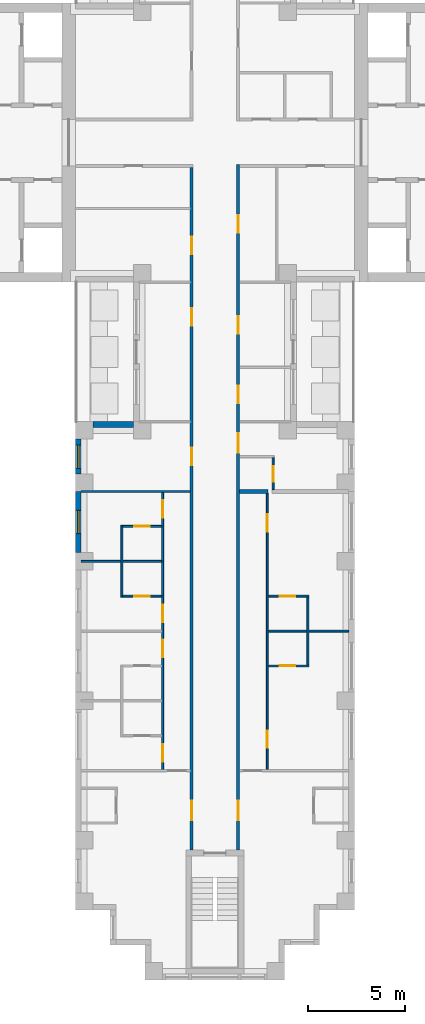
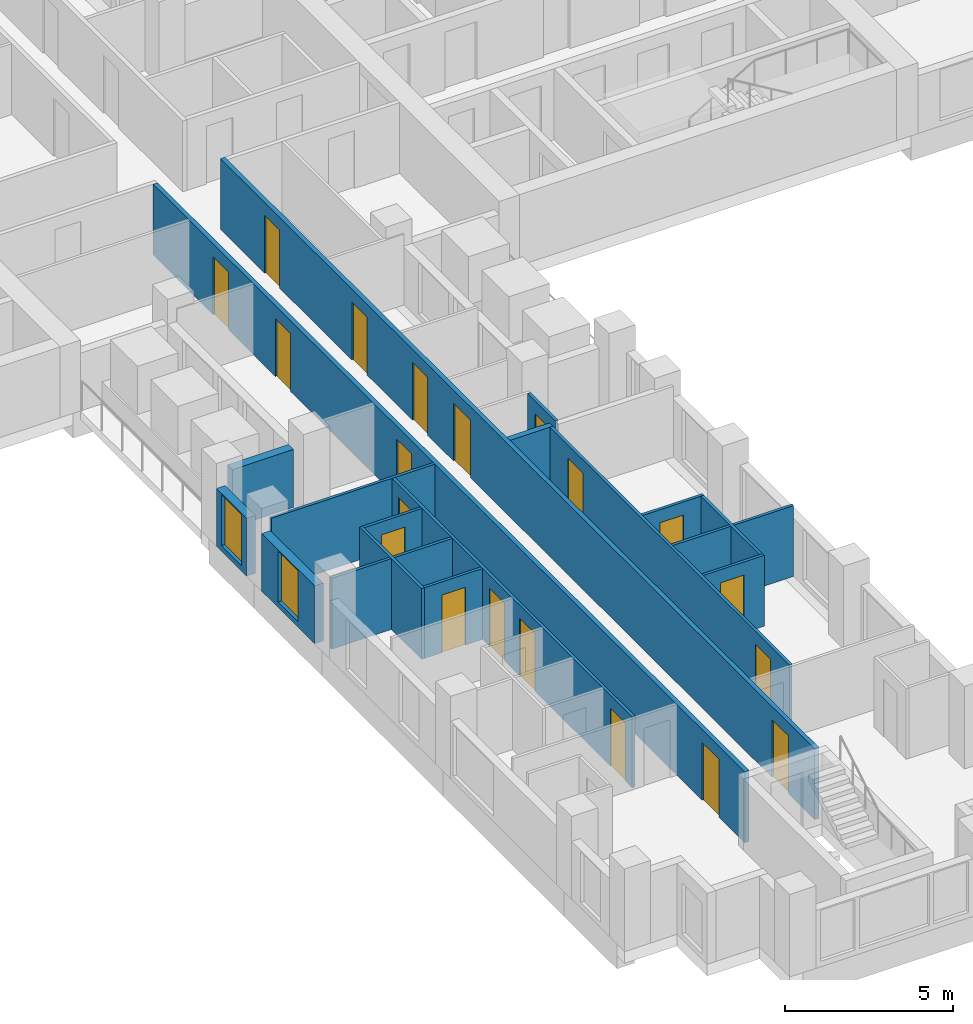
# One storey, part 4 of 13: 20 doors, 18 walls, 2 windows, 22 openings.
"""IFC4 building model written with IfcOpenShell, lengths in metres."""

import ifcopenshell
import ifcopenshell.guid

model = None  # the IFC model being written
_history = None  # IfcOwnerHistory: only IFC2X3 demands one
_inside = {}  # id of a spatial element -> (the spatial element, [elements in it])
_under = {}  # id of a project, library or spatial element -> (it, [spatial elements below it])
_declared = {}  # id of a project -> (the project, [libraries it declares])
_typed = {}  # id of a type object -> (the type object, [elements of that type])
_made_of = {}  # id of a material, layer set ... -> (it, [elements and type objects made of it])


def new_model(schema):
    """Start an empty IFC model of exactly this schema.

    Asked for "IFC4X3", IfcOpenShell would pick the latest addendum, in which some entities
    have other attributes; the version numbers below select the first issue.
    IFC2X3 requires an IfcOwnerHistory on every rooted entity: one is made here for all.
    """
    global model, _history
    if schema == "IFC4X3":
        model = ifcopenshell.file(schema_version=(4, 3, 0, 0))
    else:
        model = ifcopenshell.file(schema=schema)
    _inside.clear()
    _under.clear()
    _declared.clear()
    _typed.clear()
    _made_of.clear()
    _history = None
    if model.schema == "IFC2X3":
        org = make("IfcOrganization", Name="unknown")
        user = make(
            "IfcPersonAndOrganization",
            ThePerson=make("IfcPerson", FamilyName="unknown"),
            TheOrganization=org,
        )
        app = make(
            "IfcApplication",
            ApplicationDeveloper=org,
            Version="unknown",
            ApplicationFullName="unknown",
            ApplicationIdentifier="unknown",
        )
        _history = make(
            "IfcOwnerHistory",
            OwningUser=user,
            OwningApplication=app,
            ChangeAction="ADDED",
            CreationDate=0,
        )
    return model


def make(cls, **values):
    """One entity of the class cls with the attributes given. An attribute that is None is left unset."""
    return model.create_entity(
        cls, **{name: value for name, value in values.items() if value is not None}
    )


def rooted(cls, **values):
    """An entity with a GlobalId (a new one), such as an element, a storey or a relation."""
    return make(cls, GlobalId=ifcopenshell.guid.new(), OwnerHistory=_history, **values)


def si_unit(unit_type, name, prefix=None):
    """IfcSIUnit, for example si_unit("LENGTHUNIT", "METRE", prefix="MILLI")."""
    return make("IfcSIUnit", UnitType=unit_type, Prefix=prefix, Name=name)


def assignment(units):
    """IfcUnitAssignment: the units of a project."""
    return None if units is None else make("IfcUnitAssignment", Units=units)


def point(xyz):
    """IfcCartesianPoint."""
    return None if xyz is None else make("IfcCartesianPoint", Coordinates=xyz)


def direction(xyz):
    """IfcDirection."""
    return None if xyz is None else make("IfcDirection", DirectionRatios=xyz)


def frame(location, z_axis=None, x_axis=None):
    """IfcAxis2Placement3D, a coordinate frame: its origin and axes. An axis left out is left unset."""
    return make(
        "IfcAxis2Placement3D",
        Location=point(location),
        Axis=direction(z_axis),
        RefDirection=direction(x_axis),
    )


def frame_2d(location, x_axis=None):
    """IfcAxis2Placement2D, a coordinate frame in the plane: its origin and x axis."""
    return make(
        "IfcAxis2Placement2D", Location=point(location), RefDirection=direction(x_axis)
    )


def origin():
    """The frame at (0, 0, 0) with its axes left unset."""
    return frame((0.0, 0.0, 0.0))


def place(relative_to, where):
    """IfcLocalPlacement: puts the frame where relative to a parent placement (None: the world)."""
    return make(
        "IfcLocalPlacement", PlacementRelTo=relative_to, RelativePlacement=where
    )


def context(
    kind, dimensions, precision=None, world=None, true_north=None, identifier=None
):
    """IfcGeometricRepresentationContext, for example the 3D "Model" context."""
    return make(
        "IfcGeometricRepresentationContext",
        ContextIdentifier=identifier,
        ContextType=kind,
        CoordinateSpaceDimension=dimensions,
        Precision=precision,
        WorldCoordinateSystem=world,
        TrueNorth=true_north,
    )


def subcontext(parent, identifier, kind, view, scale=None):
    """IfcGeometricRepresentationSubContext, for example "Body" below "Model"."""
    return make(
        "IfcGeometricRepresentationSubContext",
        ContextIdentifier=identifier,
        ContextType=kind,
        ParentContext=parent,
        TargetScale=scale,
        TargetView=view,
    )


def project(units=None, contexts=None):
    """IfcProject with its units and contexts."""
    return rooted(
        "IfcProject",
        Name="project",
        RepresentationContexts=contexts,
        UnitsInContext=assignment(units),
    )


def spatial(cls, under=None, at=None, **own):
    """A site, building, storey or space (cls), placed at a placement, below another one or the project."""
    s = rooted(cls, ObjectPlacement=at, **own)
    if under is not None:
        _under.setdefault(under.id(), (under, []))[1].append(s)
    return s


def profile(cls, at=None, kind="AREA", **sizes):
    """A parametric profile (cls). Its sizes go by their IFC names, for example OverallWidth=200.0."""
    return make(cls, ProfileType=kind, Position=at, **sizes)


def rectangle(**sizes):
    """IfcRectangleProfileDef."""
    return profile("IfcRectangleProfileDef", **sizes)


def extrude(swept, where, along, depth):
    """IfcExtrudedAreaSolid: the profile swept, set in the frame where, extruded along a direction by depth."""
    return make(
        "IfcExtrudedAreaSolid",
        SweptArea=swept,
        Position=where,
        ExtrudedDirection=direction(along),
        Depth=depth,
    )


def shape(context_of_items, identifier, shape_type, items):
    """IfcShapeRepresentation: the items that make up one representation, for example the "Body"."""
    return make(
        "IfcShapeRepresentation",
        ContextOfItems=context_of_items,
        RepresentationIdentifier=identifier,
        RepresentationType=shape_type,
        Items=items,
    )


def material(Name=None, Category=None):
    """IfcMaterial."""
    return make("IfcMaterial", Name=Name, Category=Category)


def layer(
    of_material, thickness, ventilated=None, Name=None, Category=None, Priority=None
):
    """IfcMaterialLayer: one layer of a wall or slab, of a material (None: an air gap)."""
    return make(
        "IfcMaterialLayer",
        Material=of_material,
        LayerThickness=thickness,
        IsVentilated=ventilated,
        Name=Name,
        Category=Category,
        Priority=Priority,
    )


def layer_set(layers, Name=None):
    """IfcMaterialLayerSet."""
    return make("IfcMaterialLayerSet", MaterialLayers=layers, LayerSetName=Name)


def made_of(thing, what):
    """Note that an element or type object is made of a material, layer set ...; save() writes the relation."""
    if what is not None:
        _made_of.setdefault(what.id(), (what, []))[1].append(thing)
    return thing


def type_object(cls, material=None, **own):
    """A type object (cls), such as IfcWallType, which elements share."""
    return made_of(rooted(cls, **own), material)


def element(
    cls,
    number,
    at=None,
    inside=None,
    cuts=None,
    type_object=None,
    material=None,
    context=None,
    identifier="Body",
    shape_type=None,
    held_by="IfcProductDefinitionShape",
    body=None,
    shapes=None,
    **own,
):
    """One element of the class cls, such as IfcWall. Its Tag is "e" and its number.

    at: its placement. inside: the storey or other place that contains it. cuts: it is an
    opening in that element (IfcRelVoidsElement). A single representation is given by context,
    identifier, shape_type and body (its items); several are given by shapes. held_by: the class
    of the entity that holds the representations. save() writes the other relations.
    """
    e = rooted(cls, Tag="e%d" % number, ObjectPlacement=at, **own)
    if body is not None:
        shapes = [shape(context, identifier, shape_type, body)]
    if shapes is not None:
        e.Representation = make(held_by, Representations=shapes)
    if inside is not None:
        _inside.setdefault(inside.id(), (inside, []))[1].append(e)
    if cuts is not None:
        rooted(
            "IfcRelVoidsElement", RelatingBuildingElement=cuts, RelatedOpeningElement=e
        )
    if type_object is not None:
        _typed.setdefault(type_object.id(), (type_object, []))[1].append(e)
    return made_of(e, material)


def fill(opening, filler):
    """IfcRelFillsElement: the door or window that sits in an opening."""
    return rooted(
        "IfcRelFillsElement",
        RelatingOpeningElement=opening,
        RelatedBuildingElement=filler,
    )


def aggregate(whole, parts):
    """IfcRelAggregates: a whole, such as a stair, and the parts it consists of."""
    return rooted("IfcRelAggregates", RelatingObject=whole, RelatedObjects=parts)


def save(model, path):
    """Write the relations noted so far, then the file.

    IfcRelAggregates (storeys below a building ...), IfcRelContainedInSpatialStructure (elements
    in a storey), IfcRelDefinesByType, IfcRelAssociatesMaterial and IfcRelDeclares: one each for
    every whole, place, type object, material and project.
    """
    for whole, parts in _under.values():
        aggregate(whole, parts)
    for where, things in _inside.values():
        rooted(
            "IfcRelContainedInSpatialStructure",
            RelatedElements=things,
            RelatingStructure=where,
        )
    for kind, things in _typed.values():
        rooted("IfcRelDefinesByType", RelatedObjects=things, RelatingType=kind)
    for what, things in _made_of.values():
        rooted("IfcRelAssociatesMaterial", RelatedObjects=things, RelatingMaterial=what)
    for by, libraries in _declared.values():
        rooted("IfcRelDeclares", RelatingContext=by, RelatedDefinitions=libraries)
    model.write(path)


model = new_model("IFC4")

# Units and contexts
model_context = context("Model", 3, precision=1e-05, world=origin(), true_north=direction((0.0, 1.0)))
body_context = subcontext(model_context, "Body", "Model", "MODEL_VIEW")
ifc_project = project(units=[si_unit("LENGTHUNIT", "METRE"), si_unit("AREAUNIT", "SQUARE_METRE"), si_unit("VOLUMEUNIT", "CUBIC_METRE"), si_unit("PLANEANGLEUNIT", "RADIAN"), si_unit("MASSUNIT", "GRAM", prefix="KILO")], contexts=[model_context])

# Site, building, storey
site_placement = place(None, origin())
site = spatial("IfcSite", under=ifc_project, at=site_placement, CompositionType="ELEMENT")
building_placement = place(site_placement, origin())
building = spatial("IfcBuilding", under=site, at=building_placement, Name="Fustian Cross Tower", CompositionType="ELEMENT")
storey_placement = place(building_placement, frame((0.0, 0.0, 87.89990234375)))
storey = spatial("IfcBuildingStorey", under=building, at=storey_placement, Name="L27", CompositionType="ELEMENT", Elevation=87.89990234375)

# Wall, openings, doors
ifc_material_1 = material(Name="Plasterboard on steel stud", Category="steel")
ifc_layer_1 = layer(ifc_material_1, 0.14990234375)
ifc_layer_set_1 = layer_set([ifc_layer_1], Name="Plasterboard on steel stud")
wall_type_1 = type_object("IfcWallType", Name="COMPARTMENT WALL 150 EI 60", PredefinedType="PARTITIONING", material=ifc_layer_set_1)
wall_1_placement = place(storey_placement, frame((-1.199951171875, -36.5, 0.0), z_axis=(0.0, 0.0, 1.0), x_axis=(0.0, 1.0, 0.0)))
wall_1 = element("IfcWall", 1, at=wall_1_placement, inside=storey, type_object=wall_type_1, Name="Partition 38", PredefinedType="PARTITIONING", context=body_context, shape_type="SweptSolid", body=[
    extrude(rectangle(XDim=35.22509765625, YDim=0.14990234375, at=frame_2d((17.612548828125, 0.0))), origin(), (0.0, 0.0, 1.0), 2.5751953125),
])
opening_1_placement = place(wall_1_placement, frame((30.75, 0.0, 0.0)))
opening_1 = element("IfcOpeningElement", 2, at=opening_1_placement, cuts=wall_1, Name="Opening D13008", PredefinedType="OPENING", context=body_context, shape_type="SweptSolid", body=[
    extrude(rectangle(XDim=0.89990234375, YDim=2.10009765625, at=frame_2d((0.449951171875, 1.050048828125))), frame((0.0, 0.0849609375, 0.0), z_axis=(0.0, -1.0, 0.0), x_axis=(1.0, 0.0, 0.0)), (0.0, 0.0, 1.0), 0.169921875),
])
opening_2_placement = place(wall_1_placement, frame((27.050048828125, 0.0, 0.0)))
opening_2 = element("IfcOpeningElement", 3, at=opening_2_placement, cuts=wall_1, Name="Opening D13043", PredefinedType="OPENING", context=body_context, shape_type="SweptSolid", body=[
    extrude(rectangle(XDim=0.89990234375, YDim=2.10009765625, at=frame_2d((0.449951171875, 1.050048828125))), frame((0.0, 0.0849609375, 0.0), z_axis=(0.0, -1.0, 0.0), x_axis=(1.0, 0.0, 0.0)), (0.0, 0.0, 1.0), 0.169921875),
])
opening_3_placement = place(wall_1_placement, frame((19.85009765625, 0.0, 0.0)))
opening_3 = element("IfcOpeningElement", 4, at=opening_3_placement, cuts=wall_1, Name="Opening D13044", PredefinedType="OPENING", context=body_context, shape_type="SweptSolid", body=[
    extrude(rectangle(XDim=0.89990234375, YDim=2.10009765625, at=frame_2d((0.449951171875, 1.050048828125))), frame((0.0, 0.0849609375, 0.0), z_axis=(0.0, -1.0, 0.0), x_axis=(1.0, 0.0, 0.0)), (0.0, 0.0, 1.0), 0.169921875),
])
opening_4_placement = place(wall_1_placement, frame((1.550048828125, 0.0, 0.0)))
opening_4 = element("IfcOpeningElement", 5, at=opening_4_placement, cuts=wall_1, Name="Opening D13046", PredefinedType="OPENING", context=body_context, shape_type="SweptSolid", body=[
    extrude(rectangle(XDim=1.0, YDim=2.10009765625, at=frame_2d((0.5, 1.050048828125))), frame((0.0, 0.0849609375, 0.0), z_axis=(0.0, -1.0, 0.0), x_axis=(1.0, 0.0, 0.0)), (0.0, 0.0, 1.0), 0.169921875),
])
ifc_material_2 = material(Name="Timber fire door set", Category="wood")
door_type_1 = type_object("IfcDoorType", Name="FIRE SWING DOOR 1000 FD30S", OperationType="SINGLE_SWING_LEFT", PredefinedType="DOOR", material=ifc_material_2)
door_1_placement = place(opening_4_placement, origin())
door_1 = element("IfcDoor", 6, at=door_1_placement, inside=storey, type_object=door_type_1, Name="Door D13046", OperationType="SINGLE_SWING_RIGHT", OverallHeight=2.10009765625, OverallWidth=1.0, PredefinedType="DOOR", context=body_context, shape_type="SweptSolid", body=[
    extrude(rectangle(XDim=1.0, YDim=2.10009765625, at=frame_2d((0.5, 1.050048828125))), frame((0.0, 0.02490234375, 0.0), z_axis=(0.0, -1.0, 0.0), x_axis=(1.0, 0.0, 0.0)), (0.0, 0.0, 1.0), 0.050048828125),
])
fill(opening_4, door_1)
ifc_material_3 = material(Name="Timber fire door set", Category="wood")
door_type_2 = type_object("IfcDoorType", Name="FIRE SWING DOOR 900 FD30S", OperationType="SINGLE_SWING_LEFT", PredefinedType="DOOR", material=ifc_material_3)
door_2_placement = place(opening_1_placement, origin())
door_2 = element("IfcDoor", 7, at=door_2_placement, inside=storey, type_object=door_type_2, Name="Door D13008", OperationType="SINGLE_SWING_RIGHT", OverallHeight=2.10009765625, OverallWidth=0.89990234375, PredefinedType="DOOR", context=body_context, shape_type="SweptSolid", body=[
    extrude(rectangle(XDim=0.89990234375, YDim=2.10009765625, at=frame_2d((0.449951171875, 1.050048828125))), frame((0.0, 0.02490234375, 0.0), z_axis=(0.0, -1.0, 0.0), x_axis=(1.0, 0.0, 0.0)), (0.0, 0.0, 1.0), 0.050048828125),
])
fill(opening_1, door_2)
door_3_placement = place(opening_2_placement, origin())
door_3 = element("IfcDoor", 8, at=door_3_placement, inside=storey, type_object=door_type_2, Name="Door D13043", OperationType="SINGLE_SWING_RIGHT", OverallHeight=2.10009765625, OverallWidth=0.89990234375, PredefinedType="DOOR", context=body_context, shape_type="SweptSolid", body=[
    extrude(rectangle(XDim=0.89990234375, YDim=2.10009765625, at=frame_2d((0.449951171875, 1.050048828125))), frame((0.0, 0.02490234375, 0.0), z_axis=(0.0, -1.0, 0.0), x_axis=(1.0, 0.0, 0.0)), (0.0, 0.0, 1.0), 0.050048828125),
])
fill(opening_2, door_3)
door_4_placement = place(opening_3_placement, origin())
door_4 = element("IfcDoor", 9, at=door_4_placement, inside=storey, type_object=door_type_2, Name="Door D13044", OperationType="SINGLE_SWING_LEFT", OverallHeight=2.10009765625, OverallWidth=0.89990234375, PredefinedType="DOOR", context=body_context, shape_type="SweptSolid", body=[
    extrude(rectangle(XDim=0.89990234375, YDim=2.10009765625, at=frame_2d((0.449951171875, 1.050048828125))), frame((0.0, 0.02490234375, 0.0), z_axis=(0.0, -1.0, 0.0), x_axis=(1.0, 0.0, 0.0)), (0.0, 0.0, 1.0), 0.050048828125),
])
fill(opening_3, door_4)

wall_2_placement = place(storey_placement, frame((1.199951171875, -36.5, 0.0), z_axis=(0.0, 0.0, 1.0), x_axis=(0.0, 1.0, 0.0)))
wall_2 = element("IfcWall", 10, at=wall_2_placement, inside=storey, type_object=wall_type_1, Name="Partition 41", PredefinedType="PARTITIONING", context=body_context, shape_type="SweptSolid", body=[
    extrude(rectangle(XDim=35.375, YDim=0.14990234375, at=frame_2d((17.6875, 0.0))), origin(), (0.0, 0.0, 1.0), 2.5751953125),
])
opening_5_placement = place(wall_2_placement, frame((31.85009765625, 0.0, 0.0)))
opening_5 = element("IfcOpeningElement", 11, at=opening_5_placement, cuts=wall_2, Name="Opening D13005", PredefinedType="OPENING", context=body_context, shape_type="SweptSolid", body=[
    extrude(rectangle(XDim=0.89990234375, YDim=2.10009765625, at=frame_2d((0.449951171875, 1.050048828125))), frame((0.0, 0.0849609375, 0.0), z_axis=(0.0, -1.0, 0.0), x_axis=(1.0, 0.0, 0.0)), (0.0, 0.0, 1.0), 0.169921875),
])
opening_6_placement = place(wall_2_placement, frame((23.050048828125, 0.0, 0.0)))
opening_6 = element("IfcOpeningElement", 12, at=opening_6_placement, cuts=wall_2, Name="Opening D13032", PredefinedType="OPENING", context=body_context, shape_type="SweptSolid", body=[
    extrude(rectangle(XDim=0.89990234375, YDim=2.10009765625, at=frame_2d((0.449951171875, 1.050048828125))), frame((0.0, 0.0849609375, 0.0), z_axis=(0.0, -1.0, 0.0), x_axis=(1.0, 0.0, 0.0)), (0.0, 0.0, 1.0), 0.169921875),
])
opening_7_placement = place(wall_2_placement, frame((26.64990234375, 0.0, 0.0)))
opening_7 = element("IfcOpeningElement", 13, at=opening_7_placement, cuts=wall_2, Name="Opening D13033", PredefinedType="OPENING", context=body_context, shape_type="SweptSolid", body=[
    extrude(rectangle(XDim=0.89990234375, YDim=2.10009765625, at=frame_2d((0.449951171875, 1.050048828125))), frame((0.0, 0.0849609375, 0.0), z_axis=(0.0, -1.0, 0.0), x_axis=(1.0, 0.0, 0.0)), (0.0, 0.0, 1.0), 0.169921875),
])
opening_8_placement = place(wall_2_placement, frame((20.5, 0.0, 0.0)))
opening_8 = element("IfcOpeningElement", 14, at=opening_8_placement, cuts=wall_2, Name="Opening D13035", PredefinedType="OPENING", context=body_context, shape_type="SweptSolid", body=[
    extrude(rectangle(XDim=1.0, YDim=2.10009765625, at=frame_2d((0.5, 1.050048828125))), frame((0.0, 0.0849609375, 0.0), z_axis=(0.0, -1.0, 0.0), x_axis=(1.0, 0.0, 0.0)), (0.0, 0.0, 1.0), 0.169921875),
])
opening_9_placement = place(wall_2_placement, frame((1.550048828125, 0.0, 0.0)))
opening_9 = element("IfcOpeningElement", 15, at=opening_9_placement, cuts=wall_2, Name="Opening D13037", PredefinedType="OPENING", context=body_context, shape_type="SweptSolid", body=[
    extrude(rectangle(XDim=1.0, YDim=2.10009765625, at=frame_2d((0.5, 1.050048828125))), frame((0.0, 0.0849609375, 0.0), z_axis=(0.0, -1.0, 0.0), x_axis=(1.0, 0.0, 0.0)), (0.0, 0.0, 1.0), 0.169921875),
])
door_5_placement = place(opening_8_placement, frame((1.0, 0.0, 0.0), z_axis=(0.0, 0.0, 1.0), x_axis=(-1.0, 0.0, 0.0)))
door_5 = element("IfcDoor", 16, at=door_5_placement, inside=storey, type_object=door_type_1, Name="Door D13035", OperationType="SINGLE_SWING_RIGHT", OverallHeight=2.10009765625, OverallWidth=1.0, PredefinedType="DOOR", context=body_context, shape_type="SweptSolid", body=[
    extrude(rectangle(XDim=1.0, YDim=2.10009765625, at=frame_2d((0.5, 1.050048828125))), frame((0.0, 0.02490234375, 0.0), z_axis=(0.0, -1.0, 0.0), x_axis=(1.0, 0.0, 0.0)), (0.0, 0.0, 1.0), 0.050048828125),
])
fill(opening_8, door_5)
door_6_placement = place(opening_9_placement, frame((1.0, 0.0, 0.0), z_axis=(0.0, 0.0, 1.0), x_axis=(-1.0, 0.0, 0.0)))
door_6 = element("IfcDoor", 17, at=door_6_placement, inside=storey, type_object=door_type_1, Name="Door D13037", OperationType="SINGLE_SWING_LEFT", OverallHeight=2.10009765625, OverallWidth=1.0, PredefinedType="DOOR", context=body_context, shape_type="SweptSolid", body=[
    extrude(rectangle(XDim=1.0, YDim=2.10009765625, at=frame_2d((0.5, 1.050048828125))), frame((0.0, 0.02490234375, 0.0), z_axis=(0.0, -1.0, 0.0), x_axis=(1.0, 0.0, 0.0)), (0.0, 0.0, 1.0), 0.050048828125),
])
fill(opening_9, door_6)
door_7_placement = place(opening_5_placement, frame((0.89990234375, 0.0, 0.0), z_axis=(0.0, 0.0, 1.0), x_axis=(-1.0, 0.0, 0.0)))
door_7 = element("IfcDoor", 18, at=door_7_placement, inside=storey, type_object=door_type_2, Name="Door D13005", OperationType="SINGLE_SWING_RIGHT", OverallHeight=2.10009765625, OverallWidth=0.89990234375, PredefinedType="DOOR", context=body_context, shape_type="SweptSolid", body=[
    extrude(rectangle(XDim=0.89990234375, YDim=2.10009765625, at=frame_2d((0.449951171875, 1.050048828125))), frame((0.0, 0.02490234375, 0.0), z_axis=(0.0, -1.0, 0.0), x_axis=(1.0, 0.0, 0.0)), (0.0, 0.0, 1.0), 0.050048828125),
])
fill(opening_5, door_7)
door_8_placement = place(opening_6_placement, frame((0.89990234375, 0.0, 0.0), z_axis=(0.0, 0.0, 1.0), x_axis=(-1.0, 0.0, 0.0)))
door_8 = element("IfcDoor", 19, at=door_8_placement, inside=storey, type_object=door_type_2, Name="Door D13032", OperationType="SINGLE_SWING_RIGHT", OverallHeight=2.10009765625, OverallWidth=0.89990234375, PredefinedType="DOOR", context=body_context, shape_type="SweptSolid", body=[
    extrude(rectangle(XDim=0.89990234375, YDim=2.10009765625, at=frame_2d((0.449951171875, 1.050048828125))), frame((0.0, 0.02490234375, 0.0), z_axis=(0.0, -1.0, 0.0), x_axis=(1.0, 0.0, 0.0)), (0.0, 0.0, 1.0), 0.050048828125),
])
fill(opening_6, door_8)
door_9_placement = place(opening_7_placement, frame((0.89990234375, 0.0, 0.0), z_axis=(0.0, 0.0, 1.0), x_axis=(-1.0, 0.0, 0.0)))
door_9 = element("IfcDoor", 20, at=door_9_placement, inside=storey, type_object=door_type_2, Name="Door D13033", OperationType="SINGLE_SWING_RIGHT", OverallHeight=2.10009765625, OverallWidth=0.89990234375, PredefinedType="DOOR", context=body_context, shape_type="SweptSolid", body=[
    extrude(rectangle(XDim=0.89990234375, YDim=2.10009765625, at=frame_2d((0.449951171875, 1.050048828125))), frame((0.0, 0.02490234375, 0.0), z_axis=(0.0, -1.0, 0.0), x_axis=(1.0, 0.0, 0.0)), (0.0, 0.0, 1.0), 0.050048828125),
])
fill(opening_7, door_9)

# Walls
ifc_material_4 = material(Name="Plasterboard on steel stud", Category="steel")
ifc_layer_2 = layer(ifc_material_4, 0.10009765625)
ifc_layer_set_2 = layer_set([ifc_layer_2], Name="Plasterboard on steel stud")
wall_type_2 = type_object("IfcWallType", Name="PARTITION 100 STUD", PredefinedType="PARTITIONING", material=ifc_layer_set_2)
wall_3_placement = place(storey_placement, frame((-6.89990234375, -21.60009765625, 0.0), z_axis=(0.0, 0.0, 1.0), x_axis=(1.0, 0.0, 0.0)))
element("IfcWall", 21, at=wall_3_placement, inside=storey, type_object=wall_type_2, Name="Partition 22", PredefinedType="PARTITIONING", context=body_context, shape_type="SweptSolid", body=[
    extrude(rectangle(XDim=4.14990234375, YDim=0.10009765625, at=frame_2d((2.074951171875, 0.0))), origin(), (0.0, 0.0, 1.0), 2.5751953125),
])
wall_4_placement = place(storey_placement, frame((-6.89990234375, -18.0, 0.0), z_axis=(0.0, 0.0, 1.0), x_axis=(1.0, 0.0, 0.0)))
element("IfcWall", 22, at=wall_4_placement, inside=storey, type_object=wall_type_2, Name="Partition 23", PredefinedType="PARTITIONING", context=body_context, shape_type="SweptSolid", body=[
    extrude(rectangle(XDim=5.625, YDim=0.10009765625, at=frame_2d((2.8125, 0.0))), origin(), (0.0, 0.0, 1.0), 2.5751953125),
])
wall_5_placement = place(storey_placement, frame((-4.800048828125, -23.449951171875, 0.0), z_axis=(0.0, 0.0, 1.0), x_axis=(0.0, 1.0, 0.0)))
element("IfcWall", 23, at=wall_5_placement, inside=storey, type_object=wall_type_2, Name="Partition 28", PredefinedType="PARTITIONING", context=body_context, shape_type="SweptSolid", body=[
    extrude(rectangle(XDim=3.699951171875, YDim=0.10009765625, at=frame_2d((1.85009765625, 0.0))), origin(), (0.0, 0.0, 1.0), 2.5751953125),
])

# Wall, opening, door
wall_6_placement = place(storey_placement, frame((-4.75, -23.39990234375, 0.0), z_axis=(0.0, 0.0, 1.0), x_axis=(1.0, 0.0, 0.0)))
wall_6 = element("IfcWall", 24, at=wall_6_placement, inside=storey, type_object=wall_type_2, Name="Partition 29", PredefinedType="PARTITIONING", context=body_context, shape_type="SweptSolid", body=[
    extrude(rectangle(XDim=2.0, YDim=0.10009765625, at=frame_2d((1.0, 0.0))), origin(), (0.0, 0.0, 1.0), 2.5751953125),
])
opening_10_placement = place(wall_6_placement, frame((0.60009765625, 0.0, 0.0)))
opening_10 = element("IfcOpeningElement", 25, at=opening_10_placement, cuts=wall_6, Name="Opening D13053", PredefinedType="OPENING", context=body_context, shape_type="SweptSolid", body=[
    extrude(rectangle(XDim=0.800048828125, YDim=2.10009765625, at=frame_2d((0.39990234375, 1.050048828125))), frame((0.0, 0.06005859375, 0.0), z_axis=(0.0, -1.0, 0.0), x_axis=(1.0, 0.0, 0.0)), (0.0, 0.0, 1.0), 0.1201171875),
])
ifc_material_5 = material(Name="Painted timber", Category="wood")
door_type_3 = type_object("IfcDoorType", Name="SWING DOOR 800", OperationType="SINGLE_SWING_LEFT", PredefinedType="DOOR", material=ifc_material_5)
door_10_placement = place(opening_10_placement, origin())
door_10 = element("IfcDoor", 26, at=door_10_placement, inside=storey, type_object=door_type_3, Name="Door D13053", OperationType="SINGLE_SWING_LEFT", OverallHeight=2.10009765625, OverallWidth=0.800048828125, PredefinedType="DOOR", context=body_context, shape_type="SweptSolid", body=[
    extrude(rectangle(XDim=0.800048828125, YDim=2.10009765625, at=frame_2d((0.39990234375, 1.050048828125))), frame((0.0, 0.02490234375, 0.0), z_axis=(0.0, -1.0, 0.0), x_axis=(1.0, 0.0, 0.0)), (0.0, 0.0, 1.0), 0.050048828125),
])
fill(opening_10, door_10)

wall_7_placement = place(storey_placement, frame((-4.75, -19.800048828125, 0.0), z_axis=(0.0, 0.0, 1.0), x_axis=(1.0, 0.0, 0.0)))
wall_7 = element("IfcWall", 27, at=wall_7_placement, inside=storey, type_object=wall_type_2, Name="Partition 30", PredefinedType="PARTITIONING", context=body_context, shape_type="SweptSolid", body=[
    extrude(rectangle(XDim=2.0, YDim=0.10009765625, at=frame_2d((1.0, 0.0))), origin(), (0.0, 0.0, 1.0), 2.5751953125),
])
opening_11_placement = place(wall_7_placement, frame((0.60009765625, 0.0, 0.0)))
opening_11 = element("IfcOpeningElement", 28, at=opening_11_placement, cuts=wall_7, Name="Opening D13052", PredefinedType="OPENING", context=body_context, shape_type="SweptSolid", body=[
    extrude(rectangle(XDim=0.800048828125, YDim=2.10009765625, at=frame_2d((0.39990234375, 1.050048828125))), frame((0.0, 0.06005859375, 0.0), z_axis=(0.0, -1.0, 0.0), x_axis=(1.0, 0.0, 0.0)), (0.0, 0.0, 1.0), 0.1201171875),
])
door_11_placement = place(opening_11_placement, frame((0.800048828125, 0.0, 0.0), z_axis=(0.0, 0.0, 1.0), x_axis=(-1.0, 0.0, 0.0)))
door_11 = element("IfcDoor", 29, at=door_11_placement, inside=storey, type_object=door_type_3, Name="Door D13052", OperationType="SINGLE_SWING_RIGHT", OverallHeight=2.10009765625, OverallWidth=0.800048828125, PredefinedType="DOOR", context=body_context, shape_type="SweptSolid", body=[
    extrude(rectangle(XDim=0.800048828125, YDim=2.10009765625, at=frame_2d((0.39990234375, 1.050048828125))), frame((0.0, 0.02490234375, 0.0), z_axis=(0.0, -1.0, 0.0), x_axis=(1.0, 0.0, 0.0)), (0.0, 0.0, 1.0), 0.050048828125),
])
fill(opening_11, door_11)

# Wall, openings, doors
wall_8_placement = place(storey_placement, frame((-2.699951171875, -32.35009765625, 0.0), z_axis=(0.0, 0.0, 1.0), x_axis=(0.0, 1.0, 0.0)))
wall_8 = element("IfcWall", 30, at=wall_8_placement, inside=storey, type_object=wall_type_2, Name="Partition 37", PredefinedType="PARTITIONING", context=body_context, shape_type="SweptSolid", body=[
    extrude(rectangle(XDim=14.300048828125, YDim=0.10009765625, at=frame_2d((7.14990234375, 0.0))), origin(), (0.0, 0.0, 1.0), 2.5751953125),
])
opening_12_placement = place(wall_8_placement, frame((0.400146484375, 0.0, 0.0)))
opening_12 = element("IfcOpeningElement", 31, at=opening_12_placement, cuts=wall_8, Name="Opening D13047", PredefinedType="OPENING", context=body_context, shape_type="SweptSolid", body=[
    extrude(rectangle(XDim=0.89990234375, YDim=2.10009765625, at=frame_2d((0.449951171875, 1.050048828125))), frame((0.0, 0.06005859375, 0.0), z_axis=(0.0, -1.0, 0.0), x_axis=(1.0, 0.0, 0.0)), (0.0, 0.0, 1.0), 0.1201171875),
])
opening_13_placement = place(wall_8_placement, frame((5.800048828125, 0.0, 0.0)))
opening_13 = element("IfcOpeningElement", 32, at=opening_13_placement, cuts=wall_8, Name="Opening D13048", PredefinedType="OPENING", context=body_context, shape_type="SweptSolid", body=[
    extrude(rectangle(XDim=0.89990234375, YDim=2.10009765625, at=frame_2d((0.449951171875, 1.050048828125))), frame((0.0, 0.06005859375, 0.0), z_axis=(0.0, -1.0, 0.0), x_axis=(1.0, 0.0, 0.0)), (0.0, 0.0, 1.0), 0.1201171875),
])
opening_14_placement = place(wall_8_placement, frame((7.60009765625, 0.0, 0.0)))
opening_14 = element("IfcOpeningElement", 33, at=opening_14_placement, cuts=wall_8, Name="Opening D13049", PredefinedType="OPENING", context=body_context, shape_type="SweptSolid", body=[
    extrude(rectangle(XDim=0.89990234375, YDim=2.10009765625, at=frame_2d((0.449951171875, 1.050048828125))), frame((0.0, 0.06005859375, 0.0), z_axis=(0.0, -1.0, 0.0), x_axis=(1.0, 0.0, 0.0)), (0.0, 0.0, 1.0), 0.1201171875),
])
opening_15_placement = place(wall_8_placement, frame((13.0, 0.0, 0.0)))
opening_15 = element("IfcOpeningElement", 34, at=opening_15_placement, cuts=wall_8, Name="Opening D13050", PredefinedType="OPENING", context=body_context, shape_type="SweptSolid", body=[
    extrude(rectangle(XDim=0.89990234375, YDim=2.10009765625, at=frame_2d((0.449951171875, 1.050048828125))), frame((0.0, 0.06005859375, 0.0), z_axis=(0.0, -1.0, 0.0), x_axis=(1.0, 0.0, 0.0)), (0.0, 0.0, 1.0), 0.1201171875),
])
ifc_material_6 = material(Name="Painted timber", Category="wood")
door_type_4 = type_object("IfcDoorType", Name="SWING DOOR 900", OperationType="SINGLE_SWING_LEFT", PredefinedType="DOOR", material=ifc_material_6)
door_12_placement = place(opening_12_placement, origin())
door_12 = element("IfcDoor", 35, at=door_12_placement, inside=storey, type_object=door_type_4, Name="Door D13047", OperationType="SINGLE_SWING_LEFT", OverallHeight=2.10009765625, OverallWidth=0.89990234375, PredefinedType="DOOR", context=body_context, shape_type="SweptSolid", body=[
    extrude(rectangle(XDim=0.89990234375, YDim=2.10009765625, at=frame_2d((0.449951171875, 1.050048828125))), frame((0.0, 0.02490234375, 0.0), z_axis=(0.0, -1.0, 0.0), x_axis=(1.0, 0.0, 0.0)), (0.0, 0.0, 1.0), 0.050048828125),
])
fill(opening_12, door_12)
door_13_placement = place(opening_13_placement, origin())
door_13 = element("IfcDoor", 36, at=door_13_placement, inside=storey, type_object=door_type_4, Name="Door D13048", OperationType="SINGLE_SWING_LEFT", OverallHeight=2.10009765625, OverallWidth=0.89990234375, PredefinedType="DOOR", context=body_context, shape_type="SweptSolid", body=[
    extrude(rectangle(XDim=0.89990234375, YDim=2.10009765625, at=frame_2d((0.449951171875, 1.050048828125))), frame((0.0, 0.02490234375, 0.0), z_axis=(0.0, -1.0, 0.0), x_axis=(1.0, 0.0, 0.0)), (0.0, 0.0, 1.0), 0.050048828125),
])
fill(opening_13, door_13)
door_14_placement = place(opening_14_placement, origin())
door_14 = element("IfcDoor", 37, at=door_14_placement, inside=storey, type_object=door_type_4, Name="Door D13049", OperationType="SINGLE_SWING_LEFT", OverallHeight=2.10009765625, OverallWidth=0.89990234375, PredefinedType="DOOR", context=body_context, shape_type="SweptSolid", body=[
    extrude(rectangle(XDim=0.89990234375, YDim=2.10009765625, at=frame_2d((0.449951171875, 1.050048828125))), frame((0.0, 0.02490234375, 0.0), z_axis=(0.0, -1.0, 0.0), x_axis=(1.0, 0.0, 0.0)), (0.0, 0.0, 1.0), 0.050048828125),
])
fill(opening_14, door_14)
door_15_placement = place(opening_15_placement, origin())
door_15 = element("IfcDoor", 38, at=door_15_placement, inside=storey, type_object=door_type_4, Name="Door D13050", OperationType="SINGLE_SWING_LEFT", OverallHeight=2.10009765625, OverallWidth=0.89990234375, PredefinedType="DOOR", context=body_context, shape_type="SweptSolid", body=[
    extrude(rectangle(XDim=0.89990234375, YDim=2.10009765625, at=frame_2d((0.449951171875, 1.050048828125))), frame((0.0, 0.02490234375, 0.0), z_axis=(0.0, -1.0, 0.0), x_axis=(1.0, 0.0, 0.0)), (0.0, 0.0, 1.0), 0.050048828125),
])
fill(opening_15, door_15)

wall_9_placement = place(storey_placement, frame((2.699951171875, -32.35009765625, 0.0), z_axis=(0.0, 0.0, 1.0), x_axis=(0.0, 1.0, 0.0)))
wall_9 = element("IfcWall", 39, at=wall_9_placement, inside=storey, type_object=wall_type_2, Name="Partition 56", PredefinedType="PARTITIONING", context=body_context, shape_type="SweptSolid", body=[
    extrude(rectangle(XDim=14.25, YDim=0.10009765625, at=frame_2d((7.125, 0.0))), origin(), (0.0, 0.0, 1.0), 2.5751953125),
])
opening_16_placement = place(wall_9_placement, frame((1.1201171875, 0.0, 0.0)))
opening_16 = element("IfcOpeningElement", 40, at=opening_16_placement, cuts=wall_9, Name="Opening D13039", PredefinedType="OPENING", context=body_context, shape_type="SweptSolid", body=[
    extrude(rectangle(XDim=0.89990234375, YDim=2.10009765625, at=frame_2d((0.449951171875, 1.050048828125))), frame((0.0, 0.06005859375, 0.0), z_axis=(0.0, -1.0, 0.0), x_axis=(1.0, 0.0, 0.0)), (0.0, 0.0, 1.0), 0.1201171875),
])
opening_17_placement = place(wall_9_placement, frame((12.280029296875, 0.0, 0.0)))
opening_17 = element("IfcOpeningElement", 41, at=opening_17_placement, cuts=wall_9, Name="Opening D13040", PredefinedType="OPENING", context=body_context, shape_type="SweptSolid", body=[
    extrude(rectangle(XDim=0.89990234375, YDim=2.10009765625, at=frame_2d((0.449951171875, 1.050048828125))), frame((0.0, 0.06005859375, 0.0), z_axis=(0.0, -1.0, 0.0), x_axis=(1.0, 0.0, 0.0)), (0.0, 0.0, 1.0), 0.1201171875),
])
door_16_placement = place(opening_16_placement, origin())
door_16 = element("IfcDoor", 42, at=door_16_placement, inside=storey, type_object=door_type_4, Name="Door D13039", OperationType="SINGLE_SWING_LEFT", OverallHeight=2.10009765625, OverallWidth=0.89990234375, PredefinedType="DOOR", context=body_context, shape_type="SweptSolid", body=[
    extrude(rectangle(XDim=0.89990234375, YDim=2.10009765625, at=frame_2d((0.449951171875, 1.050048828125))), frame((0.0, 0.02490234375, 0.0), z_axis=(0.0, -1.0, 0.0), x_axis=(1.0, 0.0, 0.0)), (0.0, 0.0, 1.0), 0.050048828125),
])
fill(opening_16, door_16)
door_17_placement = place(opening_17_placement, origin())
door_17 = element("IfcDoor", 43, at=door_17_placement, inside=storey, type_object=door_type_4, Name="Door D13040", OperationType="SINGLE_SWING_RIGHT", OverallHeight=2.10009765625, OverallWidth=0.89990234375, PredefinedType="DOOR", context=body_context, shape_type="SweptSolid", body=[
    extrude(rectangle(XDim=0.89990234375, YDim=2.10009765625, at=frame_2d((0.449951171875, 1.050048828125))), frame((0.0, 0.02490234375, 0.0), z_axis=(0.0, -1.0, 0.0), x_axis=(1.0, 0.0, 0.0)), (0.0, 0.0, 1.0), 0.050048828125),
])
fill(opening_17, door_17)

# Wall, opening, door
wall_10_placement = place(storey_placement, frame((2.75, -27.0, 0.0), z_axis=(0.0, 0.0, 1.0), x_axis=(1.0, 0.0, 0.0)))
wall_10 = element("IfcWall", 44, at=wall_10_placement, inside=storey, type_object=wall_type_2, Name="Partition 57", PredefinedType="PARTITIONING", context=body_context, shape_type="SweptSolid", body=[
    extrude(rectangle(XDim=2.10009765625, YDim=0.10009765625, at=frame_2d((1.050048828125, 0.0))), origin(), (0.0, 0.0, 1.0), 2.5751953125),
])
opening_18_placement = place(wall_10_placement, frame((0.60009765625, 0.0, 0.0)))
opening_18 = element("IfcOpeningElement", 45, at=opening_18_placement, cuts=wall_10, Name="Opening D13042", PredefinedType="OPENING", context=body_context, shape_type="SweptSolid", body=[
    extrude(rectangle(XDim=0.800048828125, YDim=2.10009765625, at=frame_2d((0.39990234375, 1.050048828125))), frame((0.0, 0.06005859375, 0.0), z_axis=(0.0, -1.0, 0.0), x_axis=(1.0, 0.0, 0.0)), (0.0, 0.0, 1.0), 0.1201171875),
])
door_18_placement = place(opening_18_placement, origin())
door_18 = element("IfcDoor", 46, at=door_18_placement, inside=storey, type_object=door_type_3, Name="Door D13042", OperationType="SINGLE_SWING_LEFT", OverallHeight=2.10009765625, OverallWidth=0.800048828125, PredefinedType="DOOR", context=body_context, shape_type="SweptSolid", body=[
    extrude(rectangle(XDim=0.800048828125, YDim=2.10009765625, at=frame_2d((0.39990234375, 1.050048828125))), frame((0.0, 0.02490234375, 0.0), z_axis=(0.0, -1.0, 0.0), x_axis=(1.0, 0.0, 0.0)), (0.0, 0.0, 1.0), 0.050048828125),
])
fill(opening_18, door_18)

# Wall
wall_11_placement = place(storey_placement, frame((2.75, -25.199951171875, 0.0), z_axis=(0.0, 0.0, 1.0), x_axis=(1.0, 0.0, 0.0)))
element("IfcWall", 47, at=wall_11_placement, inside=storey, type_object=wall_type_2, Name="Partition 58", PredefinedType="PARTITIONING", context=body_context, shape_type="SweptSolid", body=[
    extrude(rectangle(XDim=4.14990234375, YDim=0.10009765625, at=frame_2d((2.074951171875, 0.0))), origin(), (0.0, 0.0, 1.0), 2.5751953125),
])

# Wall, opening, door
wall_12_placement = place(storey_placement, frame((2.75, -23.39990234375, 0.0), z_axis=(0.0, 0.0, 1.0), x_axis=(1.0, 0.0, 0.0)))
wall_12 = element("IfcWall", 48, at=wall_12_placement, inside=storey, type_object=wall_type_2, Name="Partition 59", PredefinedType="PARTITIONING", context=body_context, shape_type="SweptSolid", body=[
    extrude(rectangle(XDim=2.10009765625, YDim=0.10009765625, at=frame_2d((1.050048828125, 0.0))), origin(), (0.0, 0.0, 1.0), 2.5751953125),
])
opening_19_placement = place(wall_12_placement, frame((0.60009765625, 0.0, 0.0)))
opening_19 = element("IfcOpeningElement", 49, at=opening_19_placement, cuts=wall_12, Name="Opening D13041", PredefinedType="OPENING", context=body_context, shape_type="SweptSolid", body=[
    extrude(rectangle(XDim=0.800048828125, YDim=2.10009765625, at=frame_2d((0.39990234375, 1.050048828125))), frame((0.0, 0.06005859375, 0.0), z_axis=(0.0, -1.0, 0.0), x_axis=(1.0, 0.0, 0.0)), (0.0, 0.0, 1.0), 0.1201171875),
])
door_19_placement = place(opening_19_placement, frame((0.800048828125, 0.0, 0.0), z_axis=(0.0, 0.0, 1.0), x_axis=(-1.0, 0.0, 0.0)))
door_19 = element("IfcDoor", 50, at=door_19_placement, inside=storey, type_object=door_type_3, Name="Door D13041", OperationType="SINGLE_SWING_RIGHT", OverallHeight=2.10009765625, OverallWidth=0.800048828125, PredefinedType="DOOR", context=body_context, shape_type="SweptSolid", body=[
    extrude(rectangle(XDim=0.800048828125, YDim=2.10009765625, at=frame_2d((0.39990234375, 1.050048828125))), frame((0.0, 0.02490234375, 0.0), z_axis=(0.0, -1.0, 0.0), x_axis=(1.0, 0.0, 0.0)), (0.0, 0.0, 1.0), 0.050048828125),
])
fill(opening_19, door_19)

wall_13_placement = place(storey_placement, frame((3.0, -17.89990234375, 0.0), z_axis=(0.0, 0.0, 1.0), x_axis=(0.0, 1.0, 0.0)))
wall_13 = element("IfcWall", 51, at=wall_13_placement, inside=storey, type_object=wall_type_2, Name="Partition 60", PredefinedType="PARTITIONING", context=body_context, shape_type="SweptSolid", body=[
    extrude(rectangle(XDim=1.64990234375, YDim=0.10009765625, at=frame_2d((0.824951171875, 0.0))), origin(), (0.0, 0.0, 1.0), 2.5751953125),
])
opening_20_placement = place(wall_13_placement, frame((0.39990234375, 0.0, 0.0)))
opening_20 = element("IfcOpeningElement", 52, at=opening_20_placement, cuts=wall_13, Name="Opening D13034", PredefinedType="OPENING", context=body_context, shape_type="SweptSolid", body=[
    extrude(rectangle(XDim=0.800048828125, YDim=2.10009765625, at=frame_2d((0.39990234375, 1.050048828125))), frame((0.0, 0.06005859375, 0.0), z_axis=(0.0, -1.0, 0.0), x_axis=(1.0, 0.0, 0.0)), (0.0, 0.0, 1.0), 0.1201171875),
])
door_20_placement = place(opening_20_placement, origin())
door_20 = element("IfcDoor", 53, at=door_20_placement, inside=storey, type_object=door_type_3, Name="Door D13034", OperationType="SINGLE_SWING_RIGHT", OverallHeight=2.10009765625, OverallWidth=0.800048828125, PredefinedType="DOOR", context=body_context, shape_type="SweptSolid", body=[
    extrude(rectangle(XDim=0.800048828125, YDim=2.10009765625, at=frame_2d((0.39990234375, 1.050048828125))), frame((0.0, 0.02490234375, 0.0), z_axis=(0.0, -1.0, 0.0), x_axis=(1.0, 0.0, 0.0)), (0.0, 0.0, 1.0), 0.050048828125),
])
fill(opening_20, door_20)

# Walls
wall_14_placement = place(storey_placement, frame((4.800048828125, -26.949951171875, 0.0), z_axis=(0.0, 0.0, 1.0), x_axis=(0.0, 1.0, 0.0)))
element("IfcWall", 54, at=wall_14_placement, inside=storey, type_object=wall_type_2, Name="Partition 65", PredefinedType="PARTITIONING", context=body_context, shape_type="SweptSolid", body=[
    extrude(rectangle(XDim=3.5, YDim=0.10009765625, at=frame_2d((1.75, 0.0))), origin(), (0.0, 0.0, 1.0), 2.5751953125),
])
ifc_material_7 = material(Name="Plasterboard on steel stud", Category="steel")
ifc_layer_3 = layer(ifc_material_7, 0.199951171875)
ifc_layer_set_3 = layer_set([ifc_layer_3], Name="Plasterboard on steel stud")
wall_type_3 = type_object("IfcWallType", Name="PARTY WALL 200 EI 60", PredefinedType="PARTITIONING", material=ifc_layer_set_3)
wall_15_placement = place(storey_placement, frame((1.27490234375, -18.0, 0.0), z_axis=(0.0, 0.0, 1.0), x_axis=(1.0, 0.0, 0.0)))
element("IfcWall", 55, at=wall_15_placement, inside=storey, type_object=wall_type_3, Name="Partition 43", PredefinedType="PARTITIONING", context=body_context, shape_type="SweptSolid", body=[
    extrude(rectangle(XDim=1.47509765625, YDim=0.199951171875, at=frame_2d((0.737548828125, 0.0))), origin(), (0.0, 0.0, 1.0), 2.5751953125),
])
ifc_material_8 = material(Name="Dark aluminium cladding on insulated backing wall", Category="aluminium")
ifc_layer_4 = layer(ifc_material_8, 0.300048828125)
ifc_layer_set_4 = layer_set([ifc_layer_4], Name="Dark aluminium cladding on insulated backing wall")
wall_type_4 = type_object("IfcWallType", Name="XW1 EXTERNAL WALL 300", PredefinedType="SOLIDWALL", material=ifc_layer_set_4)
wall_16_placement = place(storey_placement, frame((-4.199951171875, -14.550048828125, 0.0), z_axis=(0.0, 0.0, 1.0), x_axis=(-1.0, 0.0, 0.0)))
element("IfcWall", 56, at=wall_16_placement, inside=storey, type_object=wall_type_4, Name="External wall", PredefinedType="SOLIDWALL", context=body_context, shape_type="SweptSolid", body=[
    extrude(rectangle(XDim=2.10009765625, YDim=0.300048828125, at=frame_2d((1.050048828125, 0.0))), origin(), (0.0, 0.0, 1.0), 2.10009765625),
])

# Wall, opening, window
wall_17_placement = place(storey_placement, frame((-7.050048828125, -15.300048828125, 0.0), z_axis=(0.0, 0.0, 1.0), x_axis=(0.0, -1.0, 0.0)))
wall_17 = element("IfcWall", 57, at=wall_17_placement, inside=storey, type_object=wall_type_4, Name="External wall", PredefinedType="SOLIDWALL", context=body_context, shape_type="SweptSolid", body=[
    extrude(rectangle(XDim=1.800048828125, YDim=0.300048828125, at=frame_2d((0.89990234375, 0.0))), origin(), (0.0, 0.0, 1.0), 2.10009765625),
])
opening_21_placement = place(wall_17_placement, frame((0.300048828125, 0.0, 0.199951171875)))
opening_21 = element("IfcOpeningElement", 58, at=opening_21_placement, cuts=wall_17, Name="Opening WN3", PredefinedType="OPENING", context=body_context, shape_type="SweptSolid", body=[
    extrude(rectangle(XDim=1.199951171875, YDim=1.85009765625, at=frame_2d((0.60009765625, 0.925048828125))), frame((0.0, 0.159912109375, 0.0), z_axis=(0.0, -1.0, 0.0), x_axis=(1.0, 0.0, 0.0)), (0.0, 0.0, 1.0), 0.320068359375),
])
ifc_material_9 = material(Name="Dark anodised aluminium and double glazing", Category="aluminium")
window_type = type_object("IfcWindowType", Name="WN3 WINDOW 1200X1850", PartitioningType="SINGLE_PANEL", PredefinedType="WINDOW", material=ifc_material_9)
window_1_placement = place(opening_21_placement, origin())
window_1 = element("IfcWindow", 59, at=window_1_placement, inside=storey, type_object=window_type, Name="Window", OverallHeight=1.85009765625, OverallWidth=1.199951171875, PartitioningType="SINGLE_PANEL", PredefinedType="WINDOW", context=body_context, shape_type="SweptSolid", body=[
    extrude(rectangle(XDim=1.199951171875, YDim=1.85009765625, at=frame_2d((0.60009765625, 0.925048828125))), frame((0.0, 0.030029296875, 0.0), z_axis=(0.0, -1.0, 0.0), x_axis=(1.0, 0.0, 0.0)), (0.0, 0.0, 1.0), 0.06005859375),
])
fill(opening_21, window_1)

wall_18_placement = place(storey_placement, frame((-7.050048828125, -18.0, 0.0), z_axis=(0.0, 0.0, 1.0), x_axis=(0.0, -1.0, 0.0)))
wall_18 = element("IfcWall", 60, at=wall_18_placement, inside=storey, type_object=wall_type_4, Name="External wall", PredefinedType="SOLIDWALL", context=body_context, shape_type="SweptSolid", body=[
    extrude(rectangle(XDim=3.14990234375, YDim=0.300048828125, at=frame_2d((1.574951171875, 0.0))), origin(), (0.0, 0.0, 1.0), 2.10009765625),
])
opening_22_placement = place(wall_18_placement, frame((0.97509765625, 0.0, 0.199951171875)))
opening_22 = element("IfcOpeningElement", 61, at=opening_22_placement, cuts=wall_18, Name="Opening WN3", PredefinedType="OPENING", context=body_context, shape_type="SweptSolid", body=[
    extrude(rectangle(XDim=1.199951171875, YDim=1.85009765625, at=frame_2d((0.60009765625, 0.925048828125))), frame((0.0, 0.159912109375, 0.0), z_axis=(0.0, -1.0, 0.0), x_axis=(1.0, 0.0, 0.0)), (0.0, 0.0, 1.0), 0.320068359375),
])
window_2_placement = place(opening_22_placement, origin())
window_2 = element("IfcWindow", 62, at=window_2_placement, inside=storey, type_object=window_type, Name="Window", OverallHeight=1.85009765625, OverallWidth=1.199951171875, PartitioningType="SINGLE_PANEL", PredefinedType="WINDOW", context=body_context, shape_type="SweptSolid", body=[
    extrude(rectangle(XDim=1.199951171875, YDim=1.85009765625, at=frame_2d((0.60009765625, 0.925048828125))), frame((0.0, 0.030029296875, 0.0), z_axis=(0.0, -1.0, 0.0), x_axis=(1.0, 0.0, 0.0)), (0.0, 0.0, 1.0), 0.06005859375),
])
fill(opening_22, window_2)

save(model, "model.ifc")
